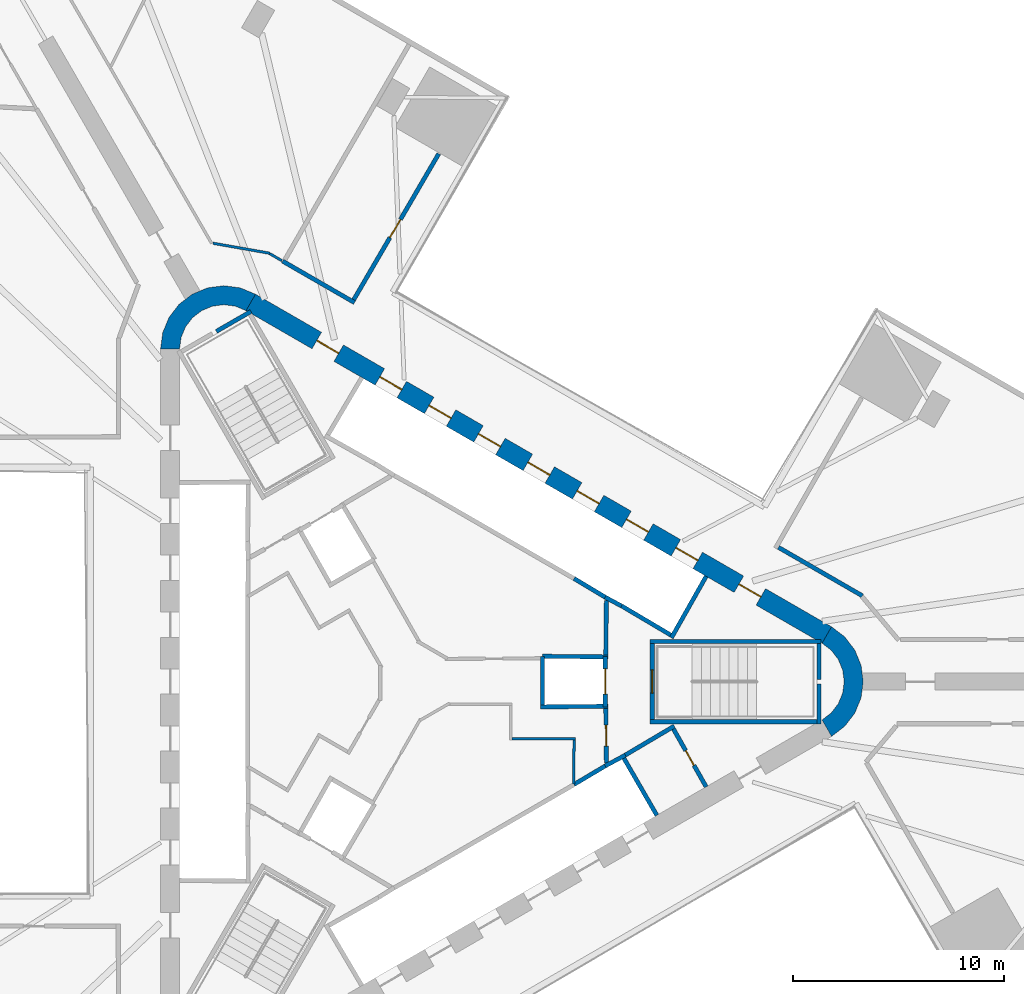
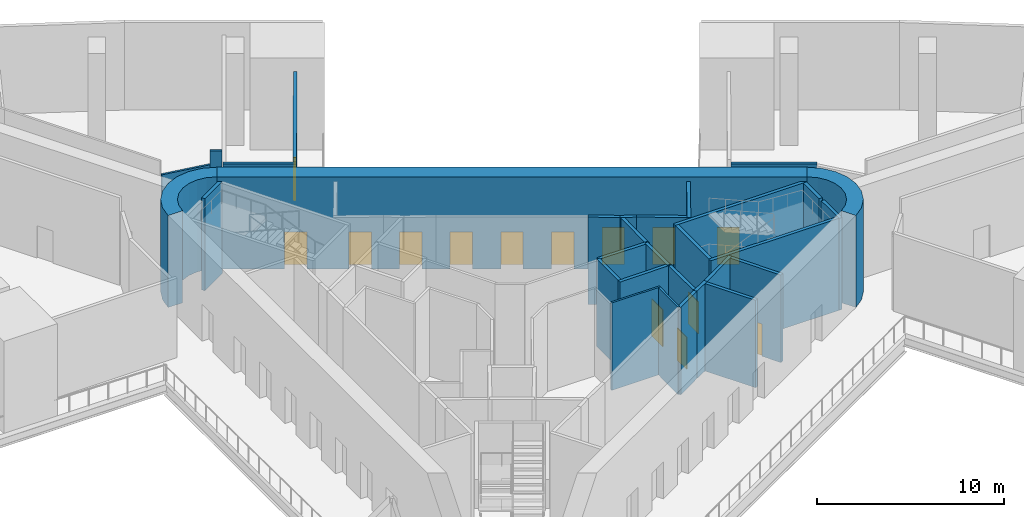
# One storey, part 6 of 11: 31 walls, 14 doors, 14 openings.
"""IFC4 building model written with IfcOpenShell, lengths in metres."""

from ifc_helpers import new_model, si_unit, direction, frame, frame_2d, origin, place, context, subcontext, project, spatial, polyline, rectangle, outline, extrude, material, layer, layer_set, type_object, element, fill, save


model = new_model("IFC4")

# Units and contexts
model_context = context("Model", 3, precision=1e-05, world=origin(), true_north=direction((0.0, 1.0)))
body_context = subcontext(model_context, "Body", "Model", "MODEL_VIEW")
ifc_project = project(units=[si_unit("LENGTHUNIT", "METRE"), si_unit("AREAUNIT", "SQUARE_METRE"), si_unit("VOLUMEUNIT", "CUBIC_METRE"), si_unit("PLANEANGLEUNIT", "RADIAN"), si_unit("MASSUNIT", "GRAM", prefix="KILO")], contexts=[model_context])

# Site, building, storey
site_placement = place(None, origin())
site = spatial("IfcSite", under=ifc_project, at=site_placement, CompositionType="ELEMENT")
building_placement = place(site_placement, origin())
building = spatial("IfcBuilding", under=site, at=building_placement, Name="Tanit Gate Tower", CompositionType="ELEMENT")
storey_placement = place(building_placement, frame((0.0, 0.0, 27.5)))
storey = spatial("IfcBuildingStorey", under=building, at=storey_placement, Name="L04", CompositionType="ELEMENT", Elevation=27.5)

# Wall, openings, doors
ifc_material_1 = material(Name="Concrete C60/75", Category="concrete")
ifc_layer_1 = layer(ifc_material_1, 0.89990234375)
ifc_layer_set_1 = layer_set([ifc_layer_1], Name="CORE WALL 900 C60/75")
wall_type_1 = type_object("IfcWallType", Name="CORE WALL 900 C60/75", PredefinedType="SHEAR", material=ifc_layer_set_1)
wall_1_placement = place(storey_placement, frame((19.47509765625, 2.20849609375, 0.0), z_axis=(0.0, 0.0, 1.0), x_axis=(-0.866028369851, 0.499994862586, 0.0)))
wall_1 = element("IfcWall", 1, at=wall_1_placement, inside=storey, type_object=wall_type_1, Name="CORE WALL", PredefinedType="SHEAR", context=body_context, shape_type="SweptSolid", body=[
    extrude(rectangle(XDim=31.523193359375, YDim=0.89990234375, at=frame_2d((15.76171875, 0.0))), origin(), (0.0, 0.0, 1.0), 6.0),
])
opening_1_placement = place(wall_1_placement, frame((7.0615234375, 0.0, 0.0)))
opening_1 = element("IfcOpeningElement", 2, at=opening_1_placement, cuts=wall_1, Name="Opening LDLL8-04", PredefinedType="OPENING", context=body_context, shape_type="SweptSolid", body=[
    extrude(rectangle(XDim=1.199951171875, YDim=2.39990234375, at=frame_2d((0.60009765625, 1.199951171875))), frame((0.0, 0.4599609375, 0.0), z_axis=(0.0, -1.0, 0.0), x_axis=(1.0, 0.0, 0.0)), (0.0, 0.0, 1.0), 0.919921875),
])
opening_2_placement = place(wall_1_placement, frame((9.76171875, 0.0, 0.0)))
opening_2 = element("IfcOpeningElement", 3, at=opening_2_placement, cuts=wall_1, Name="Opening LDLL9-04", PredefinedType="OPENING", context=body_context, shape_type="SweptSolid", body=[
    extrude(rectangle(XDim=1.199951171875, YDim=2.39990234375, at=frame_2d((0.60009765625, 1.199951171875))), frame((0.0, 0.4599609375, 0.0), z_axis=(0.0, -1.0, 0.0), x_axis=(1.0, 0.0, 0.0)), (0.0, 0.0, 1.0), 0.919921875),
])
opening_3_placement = place(wall_1_placement, frame((12.461669921875, 0.0, 0.0)))
opening_3 = element("IfcOpeningElement", 4, at=opening_3_placement, cuts=wall_1, Name="Opening LDLL10-04", PredefinedType="OPENING", context=body_context, shape_type="SweptSolid", body=[
    extrude(rectangle(XDim=1.199951171875, YDim=2.39990234375, at=frame_2d((0.60009765625, 1.199951171875))), frame((0.0, 0.4599609375, 0.0), z_axis=(0.0, -1.0, 0.0), x_axis=(1.0, 0.0, 0.0)), (0.0, 0.0, 1.0), 0.919921875),
])
opening_4_placement = place(wall_1_placement, frame((15.16162109375, 0.0, 0.0)))
opening_4 = element("IfcOpeningElement", 5, at=opening_4_placement, cuts=wall_1, Name="Opening LDSL1-04", PredefinedType="OPENING", context=body_context, shape_type="SweptSolid", body=[
    extrude(rectangle(XDim=1.199951171875, YDim=2.39990234375, at=frame_2d((0.60009765625, 1.199951171875))), frame((0.0, 0.4599609375, 0.0), z_axis=(0.0, -1.0, 0.0), x_axis=(1.0, 0.0, 0.0)), (0.0, 0.0, 1.0), 0.919921875),
])
opening_5_placement = place(wall_1_placement, frame((17.861572265625, 0.0, 0.0)))
opening_5 = element("IfcOpeningElement", 6, at=opening_5_placement, cuts=wall_1, Name="Opening LDSL2-04", PredefinedType="OPENING", context=body_context, shape_type="SweptSolid", body=[
    extrude(rectangle(XDim=1.199951171875, YDim=2.39990234375, at=frame_2d((0.60009765625, 1.199951171875))), frame((0.0, 0.4599609375, 0.0), z_axis=(0.0, -1.0, 0.0), x_axis=(1.0, 0.0, 0.0)), (0.0, 0.0, 1.0), 0.919921875),
])
opening_6_placement = place(wall_1_placement, frame((20.5615234375, 0.0, 0.0)))
opening_6 = element("IfcOpeningElement", 7, at=opening_6_placement, cuts=wall_1, Name="Opening LDSL3-04", PredefinedType="OPENING", context=body_context, shape_type="SweptSolid", body=[
    extrude(rectangle(XDim=1.199951171875, YDim=2.39990234375, at=frame_2d((0.60009765625, 1.199951171875))), frame((0.0, 0.4599609375, 0.0), z_axis=(0.0, -1.0, 0.0), x_axis=(1.0, 0.0, 0.0)), (0.0, 0.0, 1.0), 0.919921875),
])
opening_7_placement = place(wall_1_placement, frame((23.26171875, 0.0, 0.0)))
opening_7 = element("IfcOpeningElement", 8, at=opening_7_placement, cuts=wall_1, Name="Opening LDSL4-04", PredefinedType="OPENING", context=body_context, shape_type="SweptSolid", body=[
    extrude(rectangle(XDim=1.199951171875, YDim=2.39990234375, at=frame_2d((0.60009765625, 1.199951171875))), frame((0.0, 0.4599609375, 0.0), z_axis=(0.0, -1.0, 0.0), x_axis=(1.0, 0.0, 0.0)), (0.0, 0.0, 1.0), 0.919921875),
])
opening_8_placement = place(wall_1_placement, frame((3.611572265625, 0.0, 0.0)))
opening_8 = element("IfcOpeningElement", 9, at=opening_8_placement, cuts=wall_1, Name="Opening F12-04-FL1", PredefinedType="OPENING", context=body_context, shape_type="SweptSolid", body=[
    extrude(rectangle(XDim=1.199951171875, YDim=2.39990234375, at=frame_2d((0.60009765625, 1.199951171875))), frame((0.0, 0.4599609375, 0.0), z_axis=(0.0, -1.0, 0.0), x_axis=(1.0, 0.0, 0.0)), (0.0, 0.0, 1.0), 0.919921875),
])
opening_9_placement = place(wall_1_placement, frame((26.711669921875, 0.0, 0.0)))
opening_9 = element("IfcOpeningElement", 10, at=opening_9_placement, cuts=wall_1, Name="Opening F12-04-S2", PredefinedType="OPENING", context=body_context, shape_type="SweptSolid", body=[
    extrude(rectangle(XDim=1.199951171875, YDim=2.39990234375, at=frame_2d((0.60009765625, 1.199951171875))), frame((0.0, 0.4599609375, 0.0), z_axis=(0.0, -1.0, 0.0), x_axis=(1.0, 0.0, 0.0)), (0.0, 0.0, 1.0), 0.919921875),
])
ifc_material_2 = material(Name="Fire-rated steel door leaf", Category="steel")
door_type_1 = type_object("IfcDoorType", Name="INT-DOOR-FIRE-LOBBY-1200", OperationType="NOTDEFINED", PredefinedType="USERDEFINED", material=ifc_material_2)
door_1_placement = place(opening_8_placement, origin())
door_1 = element("IfcDoor", 11, at=door_1_placement, inside=storey, type_object=door_type_1, Name="Door F12-04-FL1", ObjectType="FIRE DOOR", OperationType="SINGLE_SWING_RIGHT", OverallHeight=2.39990234375, OverallWidth=1.199951171875, PredefinedType="USERDEFINED", context=body_context, shape_type="SweptSolid", body=[
    extrude(rectangle(XDim=1.199951171875, YDim=2.39990234375, at=frame_2d((0.60009765625, 1.199951171875))), frame((0.0, 0.02490234375, 0.0), z_axis=(0.0, -1.0, 0.0), x_axis=(1.0, 0.0, 0.0)), (0.0, 0.0, 1.0), 0.050048828125),
])
fill(opening_8, door_1)
door_2_placement = place(opening_9_placement, origin())
door_2 = element("IfcDoor", 12, at=door_2_placement, inside=storey, type_object=door_type_1, Name="Door F12-04-S2", ObjectType="FIRE DOOR", OperationType="SINGLE_SWING_LEFT", OverallHeight=2.39990234375, OverallWidth=1.199951171875, PredefinedType="USERDEFINED", context=body_context, shape_type="SweptSolid", body=[
    extrude(rectangle(XDim=1.199951171875, YDim=2.39990234375, at=frame_2d((0.60009765625, 1.199951171875))), frame((0.0, 0.02490234375, 0.0), z_axis=(0.0, -1.0, 0.0), x_axis=(1.0, 0.0, 0.0)), (0.0, 0.0, 1.0), 0.050048828125),
])
fill(opening_9, door_2)
ifc_material_3 = material(Name="Stainless steel sliding door leaf", Category="steel")
door_type_2 = type_object("IfcDoorType", Name="INT-DOOR-LANDING-1200", OperationType="NOTDEFINED", PredefinedType="USERDEFINED", material=ifc_material_3)
door_3_placement = place(opening_1_placement, origin())
door_3 = element("IfcDoor", 13, at=door_3_placement, inside=storey, type_object=door_type_2, Name="Door LDLL8-04", ObjectType="LANDING DOOR", OperationType="SLIDING_TO_LEFT", OverallHeight=2.39990234375, OverallWidth=1.199951171875, PredefinedType="USERDEFINED", context=body_context, shape_type="SweptSolid", body=[
    extrude(rectangle(XDim=1.199951171875, YDim=2.39990234375, at=frame_2d((0.60009765625, 1.199951171875))), frame((0.0, 0.02490234375, 0.0), z_axis=(0.0, -1.0, 0.0), x_axis=(1.0, 0.0, 0.0)), (0.0, 0.0, 1.0), 0.050048828125),
])
fill(opening_1, door_3)
door_4_placement = place(opening_2_placement, origin())
door_4 = element("IfcDoor", 14, at=door_4_placement, inside=storey, type_object=door_type_2, Name="Door LDLL9-04", ObjectType="LANDING DOOR", OperationType="SLIDING_TO_LEFT", OverallHeight=2.39990234375, OverallWidth=1.199951171875, PredefinedType="USERDEFINED", context=body_context, shape_type="SweptSolid", body=[
    extrude(rectangle(XDim=1.199951171875, YDim=2.39990234375, at=frame_2d((0.60009765625, 1.199951171875))), frame((0.0, 0.02490234375, 0.0), z_axis=(0.0, -1.0, 0.0), x_axis=(1.0, 0.0, 0.0)), (0.0, 0.0, 1.0), 0.050048828125),
])
fill(opening_2, door_4)
door_5_placement = place(opening_3_placement, origin())
door_5 = element("IfcDoor", 15, at=door_5_placement, inside=storey, type_object=door_type_2, Name="Door LDLL10-04", ObjectType="LANDING DOOR", OperationType="SLIDING_TO_LEFT", OverallHeight=2.39990234375, OverallWidth=1.199951171875, PredefinedType="USERDEFINED", context=body_context, shape_type="SweptSolid", body=[
    extrude(rectangle(XDim=1.199951171875, YDim=2.39990234375, at=frame_2d((0.60009765625, 1.199951171875))), frame((0.0, 0.02490234375, 0.0), z_axis=(0.0, -1.0, 0.0), x_axis=(1.0, 0.0, 0.0)), (0.0, 0.0, 1.0), 0.050048828125),
])
fill(opening_3, door_5)
door_6_placement = place(opening_4_placement, origin())
door_6 = element("IfcDoor", 16, at=door_6_placement, inside=storey, type_object=door_type_2, Name="Door LDSL1-04", ObjectType="LANDING DOOR", OperationType="SLIDING_TO_LEFT", OverallHeight=2.39990234375, OverallWidth=1.199951171875, PredefinedType="USERDEFINED", context=body_context, shape_type="SweptSolid", body=[
    extrude(rectangle(XDim=1.199951171875, YDim=2.39990234375, at=frame_2d((0.60009765625, 1.199951171875))), frame((0.0, 0.02490234375, 0.0), z_axis=(0.0, -1.0, 0.0), x_axis=(1.0, 0.0, 0.0)), (0.0, 0.0, 1.0), 0.050048828125),
])
fill(opening_4, door_6)
door_7_placement = place(opening_5_placement, origin())
door_7 = element("IfcDoor", 17, at=door_7_placement, inside=storey, type_object=door_type_2, Name="Door LDSL2-04", ObjectType="LANDING DOOR", OperationType="SLIDING_TO_LEFT", OverallHeight=2.39990234375, OverallWidth=1.199951171875, PredefinedType="USERDEFINED", context=body_context, shape_type="SweptSolid", body=[
    extrude(rectangle(XDim=1.199951171875, YDim=2.39990234375, at=frame_2d((0.60009765625, 1.199951171875))), frame((0.0, 0.02490234375, 0.0), z_axis=(0.0, -1.0, 0.0), x_axis=(1.0, 0.0, 0.0)), (0.0, 0.0, 1.0), 0.050048828125),
])
fill(opening_5, door_7)
door_8_placement = place(opening_6_placement, origin())
door_8 = element("IfcDoor", 18, at=door_8_placement, inside=storey, type_object=door_type_2, Name="Door LDSL3-04", ObjectType="LANDING DOOR", OperationType="SLIDING_TO_LEFT", OverallHeight=2.39990234375, OverallWidth=1.199951171875, PredefinedType="USERDEFINED", context=body_context, shape_type="SweptSolid", body=[
    extrude(rectangle(XDim=1.199951171875, YDim=2.39990234375, at=frame_2d((0.60009765625, 1.199951171875))), frame((0.0, 0.02490234375, 0.0), z_axis=(0.0, -1.0, 0.0), x_axis=(1.0, 0.0, 0.0)), (0.0, 0.0, 1.0), 0.050048828125),
])
fill(opening_6, door_8)
door_9_placement = place(opening_7_placement, origin())
door_9 = element("IfcDoor", 19, at=door_9_placement, inside=storey, type_object=door_type_2, Name="Door LDSL4-04", ObjectType="LANDING DOOR", OperationType="SLIDING_TO_LEFT", OverallHeight=2.39990234375, OverallWidth=1.199951171875, PredefinedType="USERDEFINED", context=body_context, shape_type="SweptSolid", body=[
    extrude(rectangle(XDim=1.199951171875, YDim=2.39990234375, at=frame_2d((0.60009765625, 1.199951171875))), frame((0.0, 0.02490234375, 0.0), z_axis=(0.0, -1.0, 0.0), x_axis=(1.0, 0.0, 0.0)), (0.0, 0.0, 1.0), 0.050048828125),
])
fill(opening_7, door_9)

# Walls
wall_2_placement = place(storey_placement, origin())
element("IfcWall", 20, at=wall_2_placement, inside=storey, type_object=wall_type_1, Name="CORE WALL CORNER", PredefinedType="SHEAR", context=body_context, shape_type="SweptSolid", body=[
    extrude(outline(polyline([(-7.60009765625, 18.359619140625), (-8.323486328125, 18.659423828125), (-9.10009765625, 18.76171875), (-9.87646484375, 18.659423828125), (-10.60009765625, 18.359619140625), (-11.22119140625, 17.883056640625), (-11.697998046875, 17.26171875), (-11.997802734375, 16.5380859375), (-12.10009765625, 15.76171875), (-11.199951171875, 15.76171875), (-11.12841796875, 16.30517578125), (-10.918701171875, 16.811767578125), (-10.5849609375, 17.24658203125), (-10.14990234375, 17.580322265625), (-9.6435546875, 17.7900390625), (-9.10009765625, 17.86181640625), (-8.556396484375, 17.7900390625), (-8.050048828125, 17.580322265625), (-7.60009765625, 18.359619140625)])), origin(), (0.0, 0.0, 1.0), 6.0),
])
wall_3_placement = place(storey_placement, origin())
element("IfcWall", 21, at=wall_3_placement, inside=storey, type_object=wall_type_1, Name="CORE WALL CORNER", PredefinedType="SHEAR", context=body_context, shape_type="SweptSolid", body=[
    extrude(outline(polyline([(19.699951171875, -2.59814453125), (20.3212890625, -2.121337890625), (20.798095703125, -1.5), (21.097900390625, -0.776611328125), (21.199951171875, 0.0), (21.097900390625, 0.776611328125), (20.798095703125, 1.5), (20.3212890625, 2.121337890625), (19.699951171875, 2.59814453125), (19.25, 1.818603515625), (19.684814453125, 1.48486328125), (20.018798828125, 1.050048828125), (20.228515625, 0.54345703125), (20.300048828125, 0.0), (20.228515625, -0.54345703125), (20.018798828125, -1.050048828125), (19.684814453125, -1.48486328125), (19.25, -1.818603515625), (19.699951171875, -2.59814453125)])), origin(), (0.0, 0.0, 1.0), 6.0),
])
ifc_material_4 = material(Name="Fire-rated gypsum board partition")
ifc_layer_2 = layer(ifc_material_4, 0.199951171875)
ifc_layer_set_2 = layer_set([ifc_layer_2], Name="INT-WALL-COMPARTMENT")
wall_type_2 = type_object("IfcWallType", Name="INT-WALL-COMPARTMENT", PredefinedType="PARTITIONING", material=ifc_layer_set_2)
wall_4_placement = place(storey_placement, frame((12.244873046875, -2.10888671875, 0.0), z_axis=(0.0, 0.0, 1.0), x_axis=(-0.860414880418, -0.509594185166, 0.0)))
element("IfcWall", 22, at=wall_4_placement, inside=storey, type_object=wall_type_2, Name="Wall Compartment W060", PredefinedType="PARTITIONING", context=body_context, shape_type="SweptSolid", body=[
    extrude(rectangle(XDim=2.7001953125, YDim=0.199951171875, at=frame_2d((1.35009765625, 0.0))), origin(), (0.0, 0.0, 1.0), 5.699951171875),
])

# Wall, opening, door
wall_5_placement = place(storey_placement, frame((13.758056640625, -4.989501953125, 0.0), z_axis=(0.0, 0.0, 1.0), x_axis=(-0.491993409184, 0.87059892334, 0.0)))
wall_5 = element("IfcWall", 23, at=wall_5_placement, inside=storey, type_object=wall_type_2, Name="Wall Compartment W061", PredefinedType="PARTITIONING", context=body_context, shape_type="SweptSolid", body=[
    extrude(rectangle(XDim=3.150146484375, YDim=0.199951171875, at=frame_2d((1.5751953125, 0.0))), origin(), (0.0, 0.0, 1.0), 5.699951171875),
])
opening_10_placement = place(wall_5_placement, frame((1.175048828125, 0.0, 0.0)))
opening_10 = element("IfcOpeningElement", 24, at=opening_10_placement, cuts=wall_5, Name="Opening R08-04-13", PredefinedType="OPENING", context=body_context, shape_type="SweptSolid", body=[
    extrude(rectangle(XDim=0.800048828125, YDim=2.10009765625, at=frame_2d((0.39990234375, 1.050048828125))), frame((0.0, 0.10986328125, 0.0), z_axis=(0.0, -1.0, 0.0), x_axis=(1.0, 0.0, 0.0)), (0.0, 0.0, 1.0), 0.219970703125),
])
ifc_material_5 = material(Name="Timber door leaf", Category="wood")
door_type_3 = type_object("IfcDoorType", Name="INT-DOOR-RISER-800", OperationType="NOTDEFINED", PredefinedType="USERDEFINED", material=ifc_material_5)
door_10_placement = place(opening_10_placement, origin())
door_10 = element("IfcDoor", 25, at=door_10_placement, inside=storey, type_object=door_type_3, Name="Door R08-04-13", ObjectType="FIRE DOOR", OperationType="SINGLE_SWING_LEFT", OverallHeight=2.10009765625, OverallWidth=0.800048828125, PredefinedType="USERDEFINED", context=body_context, shape_type="SweptSolid", body=[
    extrude(rectangle(XDim=0.800048828125, YDim=2.10009765625, at=frame_2d((0.39990234375, 1.050048828125))), frame((0.0, 0.02490234375, 0.0), z_axis=(0.0, -1.0, 0.0), x_axis=(1.0, 0.0, 0.0)), (0.0, 0.0, 1.0), 0.050048828125),
])
fill(opening_10, door_10)

# Wall
wall_6_placement = place(storey_placement, frame((9.0009765625, 1.27001953125, 0.0), z_axis=(0.0, 0.0, 1.0), x_axis=(0.010784614026, 0.999941844359, 0.0)))
element("IfcWall", 26, at=wall_6_placement, inside=storey, type_object=wall_type_2, Name="Wall Compartment W062", PredefinedType="PARTITIONING", context=body_context, shape_type="SweptSolid", body=[
    extrude(rectangle(XDim=2.580810546875, YDim=0.199951171875, at=frame_2d((1.29052734375, 0.0))), origin(), (0.0, 0.0, 1.0), 5.699951171875),
])

# Wall, opening, door
wall_7_placement = place(storey_placement, frame((9.02880859375, -3.850830078125, 0.0), z_axis=(0.0, 0.0, 1.0), x_axis=(-0.010783593937, 0.99994185536, 0.0)))
wall_7 = element("IfcWall", 27, at=wall_7_placement, inside=storey, type_object=wall_type_2, Name="Wall Compartment W063", PredefinedType="PARTITIONING", context=body_context, shape_type="SweptSolid", body=[
    extrude(rectangle(XDim=2.5810546875, YDim=0.199951171875, at=frame_2d((1.29052734375, 0.0))), origin(), (0.0, 0.0, 1.0), 5.699951171875),
])
opening_11_placement = place(wall_7_placement, frame((0.79052734375, 0.0, 0.0)))
opening_11 = element("IfcOpeningElement", 28, at=opening_11_placement, cuts=wall_7, Name="Opening F10-04-02", PredefinedType="OPENING", context=body_context, shape_type="SweptSolid", body=[
    extrude(rectangle(XDim=1.0, YDim=2.10009765625, at=frame_2d((0.5, 1.050048828125))), frame((0.0, 0.10986328125, 0.0), z_axis=(0.0, -1.0, 0.0), x_axis=(1.0, 0.0, 0.0)), (0.0, 0.0, 1.0), 0.219970703125),
])
ifc_material_6 = material(Name="Fire-rated steel door leaf", Category="steel")
door_type_4 = type_object("IfcDoorType", Name="INT-DOOR-FIRE-1000", OperationType="NOTDEFINED", PredefinedType="USERDEFINED", material=ifc_material_6)
door_11_placement = place(opening_11_placement, origin())
door_11 = element("IfcDoor", 29, at=door_11_placement, inside=storey, type_object=door_type_4, Name="Door F10-04-02", ObjectType="FIRE DOOR", OperationType="SINGLE_SWING_LEFT", OverallHeight=2.10009765625, OverallWidth=1.0, PredefinedType="USERDEFINED", context=body_context, shape_type="SweptSolid", body=[
    extrude(rectangle(XDim=1.0, YDim=2.10009765625, at=frame_2d((0.5, 1.050048828125))), frame((0.0, 0.02490234375, 0.0), z_axis=(0.0, -1.0, 0.0), x_axis=(1.0, 0.0, 0.0)), (0.0, 0.0, 1.0), 0.050048828125),
])
fill(opening_11, door_11)

# Walls
wall_8_placement = place(storey_placement, frame((21.16064453125, 4.064208984375, 0.0), z_axis=(0.0, 0.0, 1.0), x_axis=(-0.866012938262, 0.500021590297, 0.0)))
element("IfcWall", 30, at=wall_8_placement, inside=storey, type_object=wall_type_2, Name="Wall Compartment W105", PredefinedType="PARTITIONING", context=body_context, shape_type="SweptSolid", body=[
    extrude(rectangle(XDim=4.592041015625, YDim=0.199951171875, at=frame_2d((2.2958984375, 0.0))), origin(), (0.0, 0.0, 1.0), 4.8798828125),
])
wall_9_placement = place(storey_placement, frame((-2.908935546875, 17.9619140625, 0.0), z_axis=(0.0, 0.0, 1.0), x_axis=(-0.866156637233, 0.499772628079, 0.0)))
element("IfcWall", 31, at=wall_9_placement, inside=storey, type_object=wall_type_2, Name="Wall Compartment W108", PredefinedType="PARTITIONING", context=body_context, shape_type="SweptSolid", body=[
    extrude(rectangle(XDim=3.931396484375, YDim=0.199951171875, at=frame_2d((1.9658203125, 0.0))), origin(), (0.0, 0.0, 1.0), 4.8798828125),
])

# Wall, opening, door
wall_10_placement = place(storey_placement, frame((-2.9453125, 18.098388671875, 0.0), z_axis=(0.0, 0.0, 1.0), x_axis=(0.503235430028, 0.864149351654, 0.0)))
wall_10 = element("IfcWall", 32, at=wall_10_placement, inside=storey, type_object=wall_type_2, Name="Wall Compartment W109", PredefinedType="PARTITIONING", context=body_context, shape_type="SweptSolid", body=[
    extrude(rectangle(XDim=8.00244140625, YDim=0.199951171875, at=frame_2d((4.001220703125, 0.0))), origin(), (0.0, 0.0, 1.0), 5.169921875),
])
opening_12_placement = place(wall_10_placement, frame((3.40234375, 0.0, 0.0)))
opening_12 = element("IfcOpeningElement", 33, at=opening_12_placement, cuts=wall_10, Name="Opening F10-04-21", PredefinedType="OPENING", context=body_context, shape_type="SweptSolid", body=[
    extrude(rectangle(XDim=1.0, YDim=2.10009765625, at=frame_2d((0.5, 1.050048828125))), frame((0.0, 0.10986328125, 0.0), z_axis=(0.0, -1.0, 0.0), x_axis=(1.0, 0.0, 0.0)), (0.0, 0.0, 1.0), 0.219970703125),
])
door_12_placement = place(opening_12_placement, origin())
door_12 = element("IfcDoor", 34, at=door_12_placement, inside=storey, type_object=door_type_4, Name="Door F10-04-21", ObjectType="FIRE DOOR", OperationType="SINGLE_SWING_RIGHT", OverallHeight=2.10009765625, OverallWidth=1.0, PredefinedType="USERDEFINED", context=body_context, shape_type="SweptSolid", body=[
    extrude(rectangle(XDim=1.0, YDim=2.10009765625, at=frame_2d((0.5, 1.050048828125))), frame((0.0, 0.02490234375, 0.0), z_axis=(0.0, -1.0, 0.0), x_axis=(1.0, 0.0, 0.0)), (0.0, 0.0, 1.0), 0.050048828125),
])
fill(opening_12, door_12)

# Walls
ifc_material_7 = material(Name="Gypsum board partition")
ifc_layer_3 = layer(ifc_material_7, 0.1201171875)
ifc_layer_set_3 = layer_set([ifc_layer_3], Name="INT-WALL-PARTITION")
wall_type_3 = type_object("IfcWallType", Name="INT-WALL-PARTITION", PredefinedType="PARTITIONING", material=ifc_layer_set_3)
wall_11_placement = place(storey_placement, frame((7.56005859375, -2.699951171875, 0.0), z_axis=(0.0, 0.0, 1.0), x_axis=(-1.0, 0.0, 0.0)))
element("IfcWall", 35, at=wall_11_placement, inside=storey, type_object=wall_type_3, Name="Wall Partition W075", PredefinedType="PARTITIONING", context=body_context, shape_type="SweptSolid", body=[
    extrude(rectangle(XDim=3.0, YDim=0.1201171875, at=frame_2d((1.5, 0.0))), origin(), (0.0, 0.0, 1.0), 5.699951171875),
])
wall_12_placement = place(storey_placement, frame((7.474609375, -4.864501953125, 0.0), z_axis=(0.0, 0.0, 1.0), x_axis=(0.011716133148, 0.999931363757, 0.0)))
element("IfcWall", 36, at=wall_12_placement, inside=storey, type_object=wall_type_3, Name="Wall Partition W076", PredefinedType="PARTITIONING", context=body_context, shape_type="SweptSolid", body=[
    extrude(rectangle(XDim=2.104736328125, YDim=0.1201171875, at=frame_2d((1.05224609375, 0.0))), origin(), (0.0, 0.0, 1.0), 5.699951171875),
])
wall_13_placement = place(storey_placement, frame((-6.9150390625, 20.29736328125, 0.0), z_axis=(0.0, 0.0, 1.0), x_axis=(-0.98477728301, 0.173820893068, 0.0)))
element("IfcWall", 37, at=wall_13_placement, inside=storey, type_object=wall_type_3, Name="Wall Partition W111", PredefinedType="PARTITIONING", context=body_context, shape_type="SweptSolid", body=[
    extrude(rectangle(XDim=2.74169921875, YDim=0.1201171875, at=frame_2d((1.370849609375, 0.0))), origin(), (0.0, 0.0, 1.0), 4.780029296875),
])
wall_14_placement = place(storey_placement, frame((-6.348876953125, 19.94677734375, 0.0), z_axis=(0.0, 0.0, 1.0), x_axis=(-0.865964461276, 0.500105540669, 0.0)))
element("IfcWall", 38, at=wall_14_placement, inside=storey, type_object=wall_type_3, Name="Wall Partition W112", PredefinedType="PARTITIONING", context=body_context, shape_type="SweptSolid", body=[
    extrude(rectangle(XDim=0.661865234375, YDim=0.1201171875, at=frame_2d((0.3310546875, 0.0))), origin(), (0.0, 0.0, 1.0), 5.699951171875),
])
ifc_material_8 = material(Name="Gypsum shaft wall system")
ifc_layer_4 = layer(ifc_material_8, 0.199951171875)
ifc_layer_set_4 = layer_set([ifc_layer_4], Name="INT-WALL-SHAFT")
wall_type_4 = type_object("IfcWallType", Name="INT-WALL-SHAFT", PredefinedType="PLUMBINGWALL", material=ifc_layer_set_4)
wall_15_placement = place(storey_placement, frame((12.10986328125, 2.07275390625, 0.0), z_axis=(0.0, 0.0, 1.0), x_axis=(0.49196600604, 0.870614408852, 0.0)))
element("IfcWall", 39, at=wall_15_placement, inside=storey, type_object=wall_type_4, Name="Wall Shaft W013", PredefinedType="PLUMBINGWALL", context=body_context, shape_type="SweptSolid", body=[
    extrude(rectangle(XDim=3.35009765625, YDim=0.199951171875, at=frame_2d((1.675048828125, 0.0))), origin(), (0.0, 0.0, 1.0), 5.699951171875),
])
wall_16_placement = place(storey_placement, frame((12.072998046875, 2.2109375, 0.0), z_axis=(0.0, 0.0, 1.0), x_axis=(-0.860438357912, 0.509554542943, 0.0)))
element("IfcWall", 40, at=wall_16_placement, inside=storey, type_object=wall_type_4, Name="Wall Shaft W014", PredefinedType="PLUMBINGWALL", context=body_context, shape_type="SweptSolid", body=[
    extrude(rectangle(XDim=2.700439453125, YDim=0.199951171875, at=frame_2d((1.35009765625, 0.0))), origin(), (0.0, 0.0, 1.0), 5.699951171875),
])
wall_17_placement = place(storey_placement, frame((9.74755859375, 3.583251953125, 0.0), z_axis=(0.0, 0.0, 1.0), x_axis=(-0.880917147855, 0.473270513147, 0.0)))
element("IfcWall", 41, at=wall_17_placement, inside=storey, type_object=wall_type_4, Name="Wall Shaft W015", PredefinedType="PLUMBINGWALL", context=body_context, shape_type="SweptSolid", body=[
    extrude(rectangle(XDim=0.8779296875, YDim=0.199951171875, at=frame_2d((0.43896484375, 0.0))), origin(), (0.0, 0.0, 1.0), 5.699951171875),
])
wall_18_placement = place(storey_placement, frame((9.0791015625, 3.93701171875, 0.0), z_axis=(0.0, 0.0, 1.0), x_axis=(-0.857516281273, 0.51445682749, 0.0)))
element("IfcWall", 42, at=wall_18_placement, inside=storey, type_object=wall_type_4, Name="Wall Shaft W016", PredefinedType="PLUMBINGWALL", context=body_context, shape_type="SweptSolid", body=[
    extrude(rectangle(XDim=1.8447265625, YDim=0.199951171875, at=frame_2d((0.92236328125, 0.0))), origin(), (0.0, 0.0, 1.0), 5.699951171875),
])
wall_19_placement = place(storey_placement, frame((9.794677734375, -3.52490234375, 0.0), z_axis=(0.0, 0.0, 1.0), x_axis=(0.499984717929, -0.866034226713, 0.0)))
element("IfcWall", 43, at=wall_19_placement, inside=storey, type_object=wall_type_4, Name="Wall Shaft W024", PredefinedType="PLUMBINGWALL", context=body_context, shape_type="SweptSolid", body=[
    extrude(rectangle(XDim=3.25, YDim=0.199951171875, at=frame_2d((1.625, 0.0))), origin(), (0.0, 0.0, 1.0), 5.699951171875),
])
wall_20_placement = place(storey_placement, frame((8.97412109375, -3.998779296875, 0.0), z_axis=(0.0, 0.0, 1.0), x_axis=(0.880907015104, 0.473289373154, 0.0)))
element("IfcWall", 44, at=wall_20_placement, inside=storey, type_object=wall_type_4, Name="Wall Shaft W025", PredefinedType="PLUMBINGWALL", context=body_context, shape_type="SweptSolid", body=[
    extrude(rectangle(XDim=1.078125, YDim=0.199951171875, at=frame_2d((0.5390625, 0.0))), origin(), (0.0, 0.0, 1.0), 5.699951171875),
])
wall_21_placement = place(storey_placement, frame((7.4931640625, -4.87841796875, 0.0), z_axis=(0.0, 0.0, 1.0), x_axis=(0.859981807212, 0.510324691999, 0.0)))
element("IfcWall", 45, at=wall_21_placement, inside=storey, type_object=wall_type_4, Name="Wall Shaft W026", PredefinedType="PLUMBINGWALL", context=body_context, shape_type="SweptSolid", body=[
    extrude(rectangle(XDim=1.8447265625, YDim=0.199951171875, at=frame_2d((0.92236328125, 0.0))), origin(), (0.0, 0.0, 1.0), 5.699951171875),
])

# Wall, opening, door
wall_22_placement = place(storey_placement, frame((8.969970703125, 1.199951171875, 0.0), z_axis=(0.0, 0.0, 1.0), x_axis=(0.0, -1.0, 0.0)))
wall_22 = element("IfcWall", 46, at=wall_22_placement, inside=storey, type_object=wall_type_4, Name="Wall Shaft W038", PredefinedType="PLUMBINGWALL", context=body_context, shape_type="SweptSolid", body=[
    extrude(rectangle(XDim=2.39990234375, YDim=0.199951171875, at=frame_2d((1.199951171875, 0.0))), origin(), (0.0, 0.0, 1.0), 5.699951171875),
])
opening_13_placement = place(wall_22_placement, frame((0.60009765625, 0.0, 0.0)))
opening_13 = element("IfcOpeningElement", 47, at=opening_13_placement, cuts=wall_22, Name="Opening LDFL1-L04", PredefinedType="OPENING", context=body_context, shape_type="SweptSolid", body=[
    extrude(rectangle(XDim=1.199951171875, YDim=2.39990234375, at=frame_2d((0.60009765625, 1.199951171875))), frame((0.0, 0.10986328125, 0.0), z_axis=(0.0, -1.0, 0.0), x_axis=(1.0, 0.0, 0.0)), (0.0, 0.0, 1.0), 0.219970703125),
])
door_13_placement = place(opening_13_placement, origin())
door_13 = element("IfcDoor", 48, at=door_13_placement, inside=storey, type_object=door_type_2, Name="Door LDFL1-L04", ObjectType="LANDING DOOR", OperationType="SLIDING_TO_LEFT", OverallHeight=2.39990234375, OverallWidth=1.199951171875, PredefinedType="USERDEFINED", context=body_context, shape_type="SweptSolid", body=[
    extrude(rectangle(XDim=1.199951171875, YDim=2.39990234375, at=frame_2d((0.60009765625, 1.199951171875))), frame((0.0, 0.02490234375, 0.0), z_axis=(0.0, -1.0, 0.0), x_axis=(1.0, 0.0, 0.0)), (0.0, 0.0, 1.0), 0.050048828125),
])
fill(opening_13, door_13)

# Walls
wall_23_placement = place(storey_placement, frame((6.0, 1.199951171875, 0.0), z_axis=(0.0, 0.0, 1.0), x_axis=(0.999949988, -0.010001074852, 0.0)))
element("IfcWall", 49, at=wall_23_placement, inside=storey, type_object=wall_type_4, Name="Wall Shaft W039", PredefinedType="PLUMBINGWALL", context=body_context, shape_type="SweptSolid", body=[
    extrude(rectangle(XDim=3.100341796875, YDim=0.199951171875, at=frame_2d((1.55029296875, 0.0))), origin(), (0.0, 0.0, 1.0), 5.699951171875),
])
wall_24_placement = place(storey_placement, frame((5.89990234375, -1.200927734375, 0.0), z_axis=(0.0, 0.0, 1.0), x_axis=(0.999950064753, 0.009993397809, 0.0)))
element("IfcWall", 50, at=wall_24_placement, inside=storey, type_object=wall_type_4, Name="Wall Shaft W040", PredefinedType="PLUMBINGWALL", context=body_context, shape_type="SweptSolid", body=[
    extrude(rectangle(XDim=3.200439453125, YDim=0.199951171875, at=frame_2d((1.60009765625, 0.0))), origin(), (0.0, 0.0, 1.0), 5.699951171875),
])
wall_25_placement = place(storey_placement, frame((6.0, -1.10009765625, 0.0), z_axis=(0.0, 0.0, 1.0), x_axis=(0.0, 1.0, 0.0)))
element("IfcWall", 51, at=wall_25_placement, inside=storey, type_object=wall_type_4, Name="Wall Shaft W041", PredefinedType="PLUMBINGWALL", context=body_context, shape_type="SweptSolid", body=[
    extrude(rectangle(XDim=2.279541015625, YDim=0.199951171875, at=frame_2d((1.1396484375, 0.0))), origin(), (0.0, 0.0, 1.0), 5.699951171875),
])
ifc_material_9 = material(Name="Concrete C40/50", Category="concrete")
ifc_layer_5 = layer(ifc_material_9, 0.199951171875)
ifc_layer_set_5 = layer_set([ifc_layer_5], Name="INT-WALL-STAIR")
wall_type_5 = type_object("IfcWallType", Name="INT-WALL-STAIR", PredefinedType="SHEAR", material=ifc_layer_set_5)
wall_26_placement = place(storey_placement, frame((19.199951171875, 1.89990234375, -0.300048828125), z_axis=(0.0, 0.0, 1.0), x_axis=(-1.0, 0.0, 0.0)))
element("IfcWall", 52, at=wall_26_placement, inside=storey, type_object=wall_type_5, Name="Wall Stair W033", PredefinedType="SHEAR", context=body_context, shape_type="SweptSolid", body=[
    extrude(rectangle(XDim=8.099853515625, YDim=0.199951171875, at=frame_2d((4.0498046875, 0.0))), origin(), (0.0, 0.0, 1.0), 6.0),
])
wall_27_placement = place(storey_placement, frame((19.10009765625, -2.0, -0.300048828125), z_axis=(0.0, 0.0, 1.0), x_axis=(0.0, 1.0, 0.0)))
element("IfcWall", 53, at=wall_27_placement, inside=storey, type_object=wall_type_5, Name="Wall Stair W035", PredefinedType="SHEAR", context=body_context, shape_type="SweptSolid", body=[
    extrude(rectangle(XDim=1.889892578125, YDim=0.199951171875, at=frame_2d((0.94482421875, 0.0))), origin(), (0.0, 0.0, 1.0), 6.0),
])
wall_28_placement = place(storey_placement, frame((19.10009765625, 0.110107421875, -0.300048828125), z_axis=(0.0, 0.0, 1.0), x_axis=(0.0, 1.0, 0.0)))
element("IfcWall", 54, at=wall_28_placement, inside=storey, type_object=wall_type_5, Name="Wall Stair W034", PredefinedType="SHEAR", context=body_context, shape_type="SweptSolid", body=[
    extrude(rectangle(XDim=1.68994140625, YDim=0.199951171875, at=frame_2d((0.844970703125, 0.0))), origin(), (0.0, 0.0, 1.0), 6.0),
])
wall_29_placement = place(storey_placement, frame((11.10009765625, -1.89990234375, -0.300048828125), z_axis=(0.0, 0.0, 1.0), x_axis=(1.0, 0.0, 0.0)))
element("IfcWall", 55, at=wall_29_placement, inside=storey, type_object=wall_type_5, Name="Wall Stair W036", PredefinedType="SHEAR", context=body_context, shape_type="SweptSolid", body=[
    extrude(rectangle(XDim=7.89990234375, YDim=0.199951171875, at=frame_2d((3.949951171875, 0.0))), origin(), (0.0, 0.0, 1.0), 6.0),
])

# Wall, opening, door
wall_30_placement = place(storey_placement, frame((11.199951171875, -1.800048828125, -0.300048828125), z_axis=(0.0, 0.0, 1.0), x_axis=(0.0, 1.0, 0.0)))
wall_30 = element("IfcWall", 56, at=wall_30_placement, inside=storey, type_object=wall_type_5, Name="Wall Stair W037", PredefinedType="SHEAR", context=body_context, shape_type="SweptSolid", body=[
    extrude(rectangle(XDim=3.60009765625, YDim=0.199951171875, at=frame_2d((1.800048828125, 0.0))), origin(), (0.0, 0.0, 1.0), 6.0),
])
opening_14_placement = place(wall_30_placement, frame((1.25, 0.0, 0.300048828125)))
opening_14 = element("IfcOpeningElement", 57, at=opening_14_placement, cuts=wall_30, Name="Opening S11-04-01", PredefinedType="OPENING", context=body_context, shape_type="SweptSolid", body=[
    extrude(rectangle(XDim=1.10009765625, YDim=2.10009765625, at=frame_2d((0.550048828125, 1.050048828125))), frame((0.0, 0.10986328125, 0.0), z_axis=(0.0, -1.0, 0.0), x_axis=(1.0, 0.0, 0.0)), (0.0, 0.0, 1.0), 0.219970703125),
])
ifc_material_10 = material(Name="Timber door leaf", Category="wood")
door_type_5 = type_object("IfcDoorType", Name="INT-DOOR-STAIR-1100", OperationType="NOTDEFINED", PredefinedType="USERDEFINED", material=ifc_material_10)
door_14_placement = place(opening_14_placement, origin())
door_14 = element("IfcDoor", 58, at=door_14_placement, inside=storey, type_object=door_type_5, Name="Door S11-04-01", ObjectType="FIRE DOOR", OperationType="SINGLE_SWING_LEFT", OverallHeight=2.10009765625, OverallWidth=1.10009765625, PredefinedType="USERDEFINED", context=body_context, shape_type="SweptSolid", body=[
    extrude(rectangle(XDim=1.10009765625, YDim=2.10009765625, at=frame_2d((0.550048828125, 1.050048828125))), frame((0.0, 0.02490234375, 0.0), z_axis=(0.0, -1.0, 0.0), x_axis=(1.0, 0.0, 0.0)), (0.0, 0.0, 1.0), 0.050048828125),
])
fill(opening_14, door_14)

# Wall
wall_31_placement = place(storey_placement, frame((-7.81787109375, 17.541015625, -0.300048828125), z_axis=(0.0, 0.0, 1.0), x_axis=(-0.866088799389, -0.499890179513, 0.0)))
element("IfcWall", 59, at=wall_31_placement, inside=storey, type_object=wall_type_5, Name="Wall Stair W044", PredefinedType="SHEAR", context=body_context, shape_type="SweptSolid", body=[
    extrude(rectangle(XDim=1.89013671875, YDim=0.199951171875, at=frame_2d((0.945068359375, 0.0))), origin(), (0.0, 0.0, 1.0), 6.0),
])

save(model, "model.ifc")
